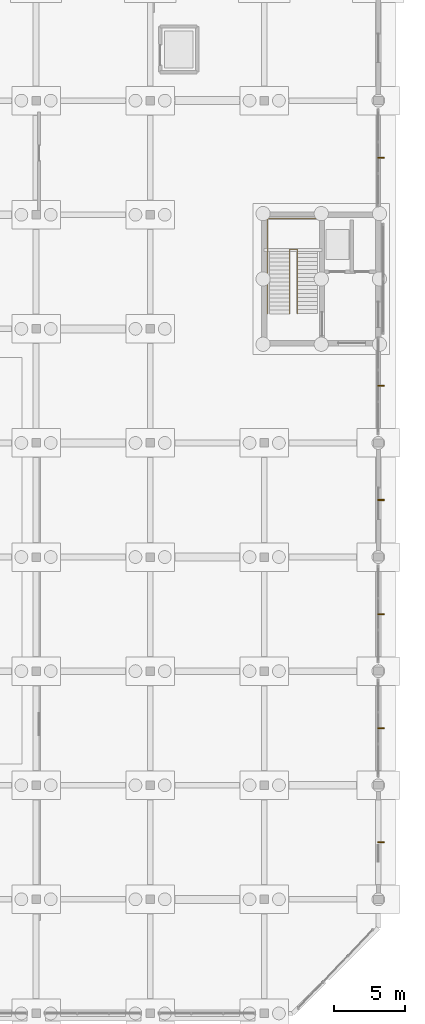
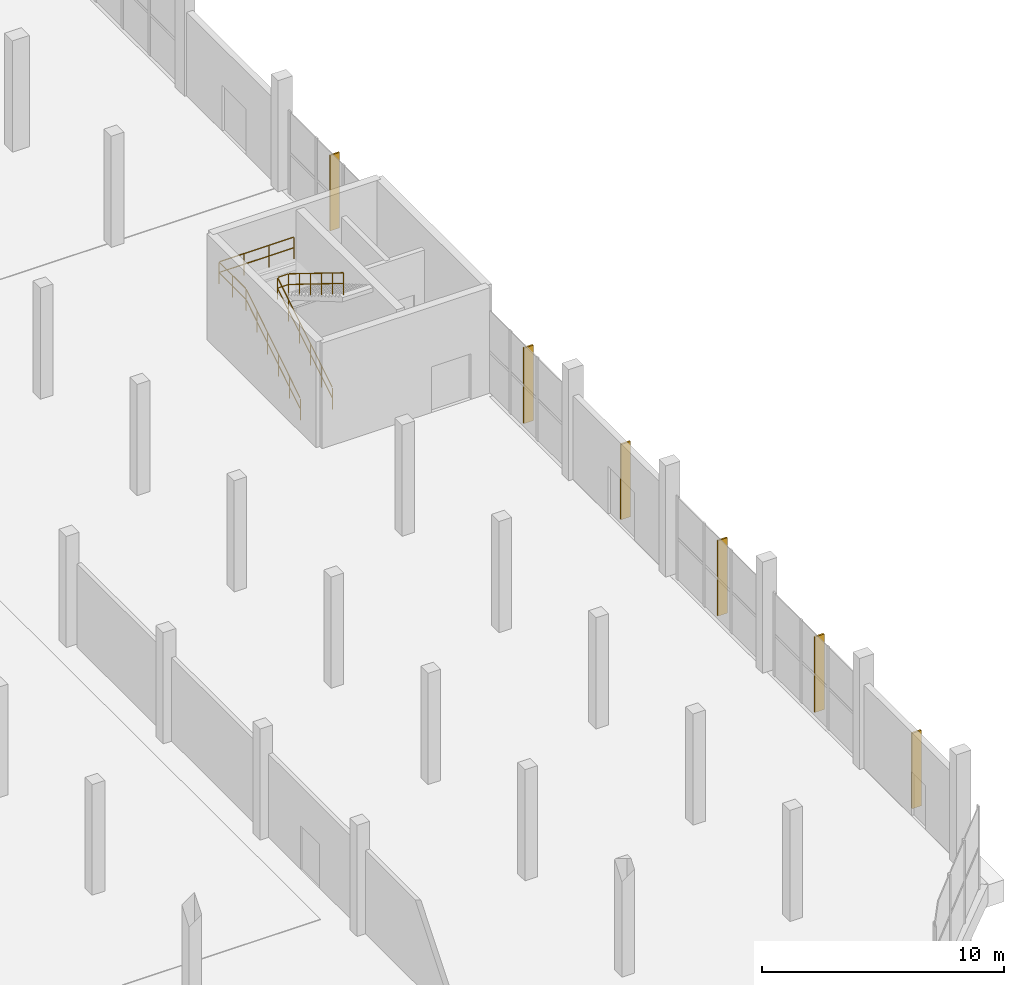
# One storey, part 95 of 98: 6 shading devices, 2 railings.
"""IFC4 building model written with IfcOpenShell, lengths in metres."""

from ifc_helpers import new_model, si_unit, derived_unit, direction, frame, origin, origin_2d, place, context, subcontext, project, spatial, rectangle, circle, extrude, material, material_profile, profile_set, type_object, element, save


model = new_model("IFC4")

# Units and contexts
model_context = context("Model", 3, precision=1e-05, world=origin(), true_north=direction((0.0, 1.0)))
body_context = subcontext(model_context, "Body", "Model", "MODEL_VIEW")
ifc_project = project(units=[si_unit("LENGTHUNIT", "METRE"), si_unit("AREAUNIT", "SQUARE_METRE"), si_unit("VOLUMEUNIT", "CUBIC_METRE"), si_unit("PLANEANGLEUNIT", "RADIAN"), si_unit("MASSUNIT", "GRAM", prefix="KILO"), si_unit("THERMODYNAMICTEMPERATUREUNIT", "KELVIN"), derived_unit("THERMALTRANSMITTANCEUNIT", [(si_unit("POWERUNIT", "WATT"), 1), (si_unit("AREAUNIT", "SQUARE_METRE"), -1), (si_unit("THERMODYNAMICTEMPERATUREUNIT", "KELVIN"), -1)])], contexts=[model_context])

# Site, building, storey
site_placement = place(None, origin())
site = spatial("IfcSite", under=ifc_project, at=site_placement, CompositionType="ELEMENT")
building_placement = place(site_placement, origin())
building = spatial("IfcBuilding", under=site, at=building_placement, Name="Haiyu Intermodal Mobility Hub", CompositionType="ELEMENT")
storey_placement = place(building_placement, origin())
storey = spatial("IfcBuildingStorey", under=building, at=storey_placement, Name="L00", CompositionType="ELEMENT", Elevation=0.0)

# Railings
ifc_material_1 = material(Name="Steel Q355C", Category="steel")
railing_type = type_object("IfcRailingType", Name="RAL-GR03", PredefinedType="GUARDRAIL", material=ifc_material_1)
railing_1_placement = place(storey_placement, frame((203.780029296875, 65.050048828125, 0.0)))
element("IfcRailing", 1, at=railing_1_placement, inside=storey, type_object=railing_type, Name="Stair Well Guard STR-C9-L00", PredefinedType="GUARDRAIL", context=body_context, shape_type="SweptSolid", body=[
    extrude(circle(Radius=0.02392578125, at=origin_2d()), frame((0.0, 0.025634765625, 1.11181640625), z_axis=(0.0, 0.850622528264, 0.525776867511), x_axis=(-1.0, 0.0, 0.0)), (0.0, 0.0, 1.0), 5.265625),
    extrude(circle(Radius=0.02392578125, at=origin_2d()), frame((0.0, 0.03173828125, 0.57958984375), z_axis=(0.0, 0.850622528264, 0.525776867511), x_axis=(-1.0, 0.0, 0.0)), (0.0, 0.0, 1.0), 0.990478515625),
    extrude(circle(Radius=0.02392578125, at=origin_2d()), frame((0.0, 0.937744140625, 1.1396484375), z_axis=(0.0, 0.850622528264, 0.525776867511), x_axis=(-1.0, 0.0, 0.0)), (0.0, 0.0, 1.0), 0.990478515625),
    extrude(circle(Radius=0.02392578125, at=origin_2d()), frame((0.0, 1.84375, 1.69970703125), z_axis=(0.0, 0.850622528264, 0.525776867511), x_axis=(-1.0, 0.0, 0.0)), (0.0, 0.0, 1.0), 0.990478515625),
    extrude(circle(Radius=0.02392578125, at=origin_2d()), frame((0.0, 2.749755859375, 2.259765625), z_axis=(0.0, 0.850622528264, 0.525776867511), x_axis=(-1.0, 0.0, 0.0)), (0.0, 0.0, 1.0), 0.990478515625),
    extrude(circle(Radius=0.02392578125, at=origin_2d()), frame((0.0, 3.65576171875, 2.81982421875), z_axis=(0.0, 0.850622528264, 0.525776867511), x_axis=(-1.0, 0.0, 0.0)), (0.0, 0.0, 1.0), 0.990478515625),
    extrude(circle(Radius=0.02392578125, at=origin_2d()), frame((0.030029296875, 4.530029296875, 3.89599609375), z_axis=(1.0, 0.0, 0.0), x_axis=(0.0, 1.0, 0.0)), (0.0, 0.0, 1.0), 0.469970703125),
    extrude(circle(Radius=0.02392578125, at=origin_2d()), frame((0.037353515625, 4.530029296875, 3.360107421875), z_axis=(1.0, 0.0, 0.0), x_axis=(0.0, 1.0, 0.0)), (0.0, 0.0, 1.0), 0.455322265625),
    extrude(circle(Radius=0.02392578125, at=origin_2d()), frame((0.530029296875, 4.50439453125, 3.911865234375), z_axis=(0.0, -0.850622528264, 0.525776867511), x_axis=(1.0, 0.0, 0.0)), (0.0, 0.0, 1.0), 5.265625),
    extrude(circle(Radius=0.02392578125, at=origin_2d()), frame((0.530029296875, 4.498291015625, 3.379638671875), z_axis=(0.0, -0.850622528264, 0.525776867511), x_axis=(1.0, 0.0, 0.0)), (0.0, 0.0, 1.0), 0.990478515625),
    extrude(circle(Radius=0.02392578125, at=origin_2d()), frame((0.530029296875, 3.59228515625, 3.939697265625), z_axis=(0.0, -0.850622528264, 0.525776867511), x_axis=(1.0, 0.0, 0.0)), (0.0, 0.0, 1.0), 0.990478515625),
    extrude(circle(Radius=0.02392578125, at=origin_2d()), frame((0.530029296875, 2.686279296875, 4.499755859375), z_axis=(0.0, -0.850622528264, 0.525776867511), x_axis=(1.0, 0.0, 0.0)), (0.0, 0.0, 1.0), 0.990478515625),
    extrude(circle(Radius=0.02392578125, at=origin_2d()), frame((0.530029296875, 1.7802734375, 5.059814453125), z_axis=(0.0, -0.850622528264, 0.525776867511), x_axis=(1.0, 0.0, 0.0)), (0.0, 0.0, 1.0), 0.990478515625),
    extrude(circle(Radius=0.02392578125, at=origin_2d()), frame((0.530029296875, 0.874267578125, 5.619873046875), z_axis=(0.0, -0.850622528264, 0.525776867511), x_axis=(1.0, 0.0, 0.0)), (0.0, 0.0, 1.0), 0.990478515625),
    extrude(circle(Radius=0.02099609375, at=origin_2d()), origin(), (0.0, 0.0, 1.0), 1.06396484375),
    extrude(circle(Radius=0.02099609375, at=origin_2d()), frame((0.0, 0.906005859375, 0.56005859375)), (0.0, 0.0, 1.0), 1.06396484375),
    extrude(circle(Radius=0.02099609375, at=origin_2d()), frame((0.0, 1.81201171875, 1.1201171875)), (0.0, 0.0, 1.0), 1.06396484375),
    extrude(circle(Radius=0.02099609375, at=origin_2d()), frame((0.0, 2.718017578125, 1.679931640625)), (0.0, 0.0, 1.0), 1.06396484375),
    extrude(circle(Radius=0.02099609375, at=origin_2d()), frame((0.0, 3.6240234375, 2.239990234375)), (0.0, 0.0, 1.0), 1.06396484375),
    extrude(circle(Radius=0.02099609375, at=origin_2d()), frame((0.0, 4.530029296875, 2.800048828125)), (0.0, 0.0, 1.0), 1.06396484375),
    extrude(circle(Radius=0.02099609375, at=origin_2d()), frame((0.530029296875, 4.530029296875, 2.800048828125)), (0.0, 0.0, 1.0), 1.06396484375),
    extrude(circle(Radius=0.02099609375, at=origin_2d()), frame((0.530029296875, 3.6240234375, 3.360107421875)), (0.0, 0.0, 1.0), 1.06396484375),
    extrude(circle(Radius=0.02099609375, at=origin_2d()), frame((0.530029296875, 2.718017578125, 3.920166015625)), (0.0, 0.0, 1.0), 1.06396484375),
    extrude(circle(Radius=0.02099609375, at=origin_2d()), frame((0.530029296875, 1.81201171875, 4.47998046875)), (0.0, 0.0, 1.0), 1.06396484375),
    extrude(circle(Radius=0.02099609375, at=origin_2d()), frame((0.530029296875, 0.906005859375, 5.0400390625)), (0.0, 0.0, 1.0), 1.06396484375),
    extrude(circle(Radius=0.02099609375, at=origin_2d()), frame((0.530029296875, 0.0, 5.60009765625)), (0.0, 0.0, 1.0), 1.06396484375),
])
railing_2_placement = place(storey_placement, frame((202.25, 65.050048828125, 0.0)))
element("IfcRailing", 2, at=railing_2_placement, inside=storey, type_object=railing_type, Name="Stair Outer Guard STR-C9-L00", PredefinedType="GUARDRAIL", context=body_context, shape_type="SweptSolid", body=[
    extrude(circle(Radius=0.02392578125, at=origin_2d()), frame((0.0, 0.025390625, 1.112060546875), z_axis=(0.0, 0.847993111587, 0.530007247782), x_axis=(-1.0, 0.0, 0.0)), (0.0, 0.0, 1.0), 5.22314453125),
    extrude(circle(Radius=0.02392578125, at=origin_2d()), frame((0.0, 0.03173828125, 0.579833984375), z_axis=(0.0, 0.847993111587, 0.530007247782), x_axis=(-1.0, 0.0, 0.0)), (0.0, 0.0, 1.0), 0.98193359375),
    extrude(circle(Radius=0.02392578125, at=origin_2d()), frame((0.0, 0.927734375, 1.139892578125), z_axis=(0.0, 0.847993111587, 0.530007247782), x_axis=(-1.0, 0.0, 0.0)), (0.0, 0.0, 1.0), 0.98193359375),
    extrude(circle(Radius=0.02392578125, at=origin_2d()), frame((0.0, 1.82373046875, 1.699951171875), z_axis=(0.0, 0.847993111587, 0.530007247782), x_axis=(-1.0, 0.0, 0.0)), (0.0, 0.0, 1.0), 0.98193359375),
    extrude(circle(Radius=0.02392578125, at=origin_2d()), frame((0.0, 2.7197265625, 2.259765625), z_axis=(0.0, 0.847993111587, 0.530007247782), x_axis=(-1.0, 0.0, 0.0)), (0.0, 0.0, 1.0), 0.98193359375),
    extrude(circle(Radius=0.02392578125, at=origin_2d()), frame((0.0, 3.61572265625, 2.81982421875), z_axis=(0.0, 0.847993111587, 0.530007247782), x_axis=(-1.0, 0.0, 0.0)), (0.0, 0.0, 1.0), 0.98193359375),
    extrude(circle(Radius=0.02392578125, at=origin_2d()), frame((0.0, 4.510009765625, 3.89599609375), z_axis=(0.0, 1.0, 0.0), x_axis=(-1.0, 0.0, 0.0)), (0.0, 0.0, 1.0), 2.169921875),
    extrude(circle(Radius=0.02392578125, at=origin_2d()), frame((0.0, 4.517333984375, 3.360107421875), z_axis=(0.0, 1.0, 0.0), x_axis=(-1.0, 0.0, 0.0)), (0.0, 0.0, 1.0), 1.040283203125),
    extrude(circle(Radius=0.02392578125, at=origin_2d()), frame((0.0, 5.63232421875, 3.360107421875), z_axis=(0.0, 1.0, 0.0), x_axis=(-1.0, 0.0, 0.0)), (0.0, 0.0, 1.0), 1.040283203125),
    extrude(circle(Radius=0.02392578125, at=origin_2d()), frame((0.030029296875, 6.7099609375, 3.89599609375), z_axis=(1.0, 0.0, 0.0), x_axis=(0.0, 1.0, 0.0)), (0.0, 0.0, 1.0), 3.52001953125),
    extrude(circle(Radius=0.02392578125, at=origin_2d()), frame((0.037353515625, 6.7099609375, 3.360107421875), z_axis=(1.0, 0.0, 0.0), x_axis=(0.0, 1.0, 0.0)), (0.0, 0.0, 1.0), 1.11865234375),
    extrude(circle(Radius=0.02392578125, at=origin_2d()), frame((1.230712890625, 6.7099609375, 3.360107421875), z_axis=(1.0, 0.0, 0.0), x_axis=(0.0, 1.0, 0.0)), (0.0, 0.0, 1.0), 1.11865234375),
    extrude(circle(Radius=0.02392578125, at=origin_2d()), frame((2.424072265625, 6.7099609375, 3.360107421875), z_axis=(1.0, 0.0, 0.0), x_axis=(0.0, 1.0, 0.0)), (0.0, 0.0, 1.0), 1.11865234375),
    extrude(circle(Radius=0.02099609375, at=origin_2d()), origin(), (0.0, 0.0, 1.0), 1.06396484375),
    extrude(circle(Radius=0.02099609375, at=origin_2d()), frame((0.0, 0.89599609375, 0.56005859375)), (0.0, 0.0, 1.0), 1.06396484375),
    extrude(circle(Radius=0.02099609375, at=origin_2d()), frame((0.0, 1.7919921875, 1.1201171875)), (0.0, 0.0, 1.0), 1.06396484375),
    extrude(circle(Radius=0.02099609375, at=origin_2d()), frame((0.0, 2.68798828125, 1.679931640625)), (0.0, 0.0, 1.0), 1.06396484375),
    extrude(circle(Radius=0.02099609375, at=origin_2d()), frame((0.0, 3.583984375, 2.239990234375)), (0.0, 0.0, 1.0), 1.06396484375),
    extrude(circle(Radius=0.02099609375, at=origin_2d()), frame((0.0, 4.47998046875, 2.800048828125)), (0.0, 0.0, 1.0), 1.06396484375),
    extrude(circle(Radius=0.02099609375, at=origin_2d()), frame((0.0, 5.594970703125, 2.800048828125)), (0.0, 0.0, 1.0), 1.06396484375),
    extrude(circle(Radius=0.02099609375, at=origin_2d()), frame((0.0, 6.7099609375, 2.800048828125)), (0.0, 0.0, 1.0), 1.06396484375),
    extrude(circle(Radius=0.02099609375, at=origin_2d()), frame((1.193359375, 6.7099609375, 2.800048828125)), (0.0, 0.0, 1.0), 1.06396484375),
    extrude(circle(Radius=0.02099609375, at=origin_2d()), frame((2.38671875, 6.7099609375, 2.800048828125)), (0.0, 0.0, 1.0), 1.06396484375),
    extrude(circle(Radius=0.02099609375, at=origin_2d()), frame((3.580078125, 6.7099609375, 2.800048828125)), (0.0, 0.0, 1.0), 1.06396484375),
])

# Shading devices
ifc_material_2 = material(Name="Anodised aluminium 6063-T6", Category="aluminium")
ifc_material_profile = material_profile(ifc_material_2, rectangle(XDim=0.070068359375, YDim=0.550048828125, at=origin_2d()), Name="FIN70x550")
ifc_profile_set = profile_set([ifc_material_profile], Name="Anodised aluminium 6063-T6")
shading_device_type = type_object("IfcShadingDeviceType", Name="SHD-SD02", PredefinedType="AWNING", material=ifc_profile_set)
for number, where, z_axis, x_axis, name in (
    (3, (210.199951171875, 28.0, 0.2001953125), (0.0, 0.0, 1.0), (1.0, 0.0, 0.0), "SHD-V5E-016"),
    (4, (210.199951171875, 36.0, 0.2001953125), (0.0, 0.0, 1.0), (1.0, 0.0, 0.0), "SHD-V5E-017"),
    (5, (210.199951171875, 44.0, 0.2001953125), (0.0, 0.0, 1.0), (1.0, 0.0, 0.0), "SHD-V5E-018"),
    (6, (210.199951171875, 52.0, 0.2001953125), (0.0, 0.0, 1.0), (1.0, 0.0, 0.0), "SHD-V5E-019"),
    (7, (210.199951171875, 60.0, 0.2001953125), (0.0, 0.0, 1.0), (1.0, 0.0, 0.0), "SHD-V5E-020"),
    (8, (210.199951171875, 76.0, 0.2001953125), (0.0, 0.0, 1.0), (1.0, 0.0, 0.0), "SHD-V5E-021"),
):
    element("IfcShadingDevice", number, at=place(storey_placement, frame(where, z_axis=z_axis, x_axis=x_axis)), inside=storey, type_object=shading_device_type, Name=name, PredefinedType="AWNING", context=body_context, shape_type="SweptSolid", body=[
        extrude(rectangle(XDim=0.449951171875, YDim=0.080078125, at=origin_2d()), origin(), (0.0, 0.0, 1.0), 3.800048828125),
    ])

save(model, "model.ifc")
